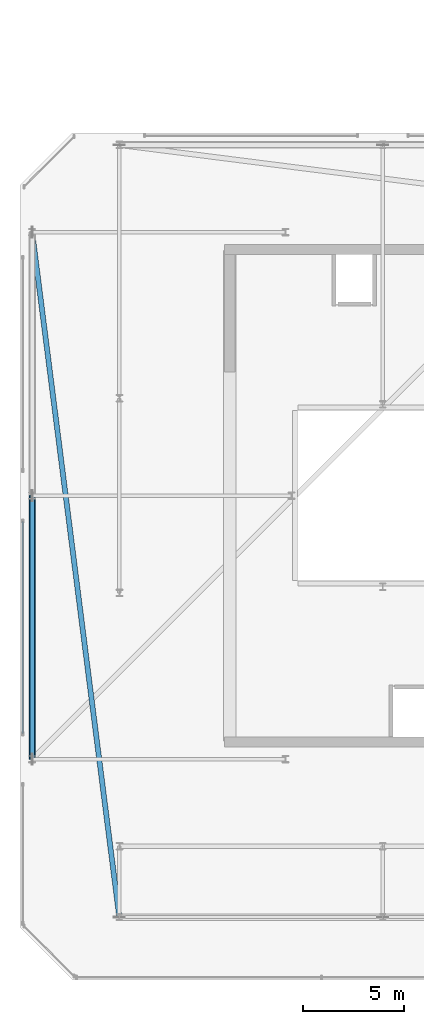
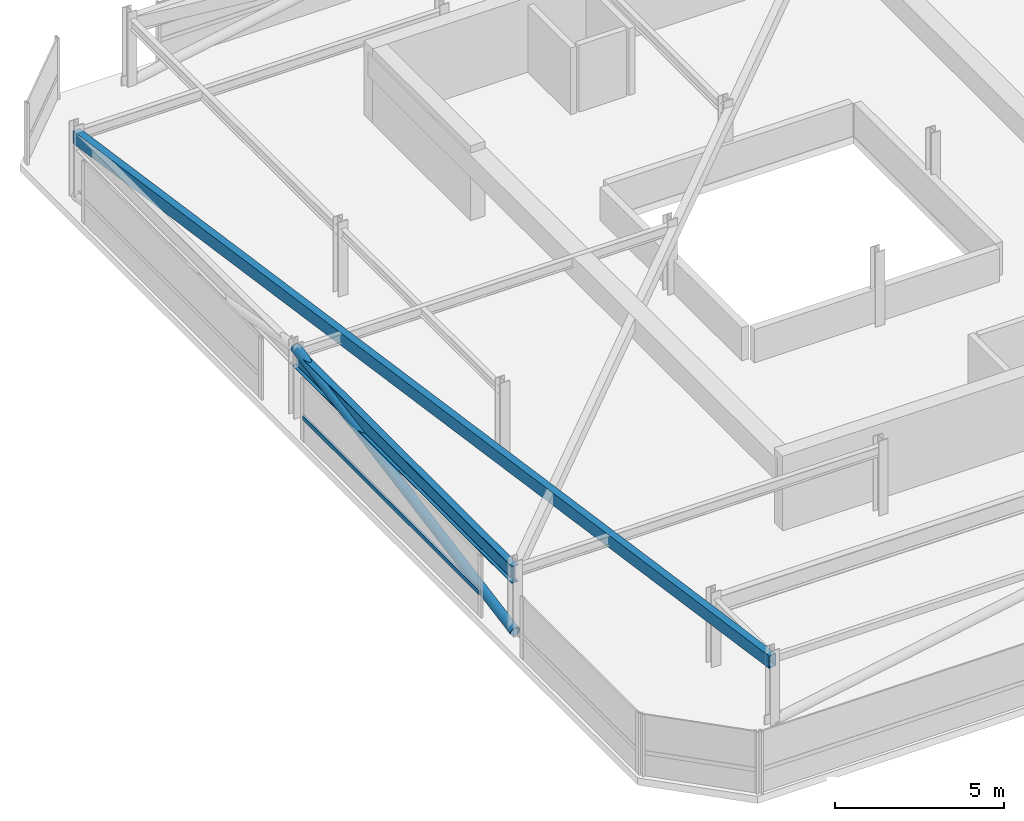
# One storey, part 11 of 42: 2 beams, 2 members, 1 element without a shape of its own.
"""IFC4 building model written with IfcOpenShell, lengths in metres."""

from ifc_helpers import new_model, si_unit, direction, frame, origin, origin_2d, place, context, subcontext, project, spatial, hollow_rectangle, hollow_circle, i_section, extrude, material, material_profile, profile_set, type_object, element, aggregate, save


model = new_model("IFC4")

# Units and contexts
model_context = context("Model", 3, precision=1e-05, world=origin(), true_north=direction((0.0, 1.0)))
body_context = subcontext(model_context, "Body", "Model", "MODEL_VIEW")
ifc_project = project(units=[si_unit("LENGTHUNIT", "METRE"), si_unit("AREAUNIT", "SQUARE_METRE"), si_unit("VOLUMEUNIT", "CUBIC_METRE"), si_unit("PLANEANGLEUNIT", "RADIAN"), si_unit("MASSUNIT", "GRAM", prefix="KILO")], contexts=[model_context])

# Site, building, storey
site_placement = place(None, origin())
site = spatial("IfcSite", under=ifc_project, at=site_placement, CompositionType="ELEMENT")
building_placement = place(site_placement, origin())
building = spatial("IfcBuilding", under=site, at=building_placement, Name="Thornwick Lancets Civic Towers", CompositionType="ELEMENT")
storey_placement = place(building_placement, frame((0.0, 0.0, 284.10009765625)))
storey = spatial("IfcBuildingStorey", under=building, at=storey_placement, Name="C02", CompositionType="ELEMENT", Elevation=284.10009765625)

# Beams
ifc_material_1 = material(Name="Steel S355JR", Category="steel")
ifc_material_profile_1 = material_profile(ifc_material_1, i_section(OverallWidth=0.230224609375, OverallDepth=0.6171875, WebThickness=0.01318359375, FlangeThickness=0.022216796875, FilletRadius=0.0126953125, at=origin_2d()), Name="UKB 610x229x140")
ifc_profile_set_1 = profile_set([ifc_material_profile_1], Name="Steel S355JR")
beam_type_1 = type_object("IfcBeamType", Name="BM_GIRD_610_140", PredefinedType="BEAM", material=ifc_profile_set_1)
beam_1_placement = place(storey_placement, frame((8.199951171875, 14.0, 2.13134765625), z_axis=(0.0, 1.0, 0.0), x_axis=(-1.0, 0.0, 0.0)))
element("IfcBeam", 1, at=beam_1_placement, inside=storey, type_object=beam_type_1, Name="BM-SPINE-C02-A-9-10", PredefinedType="BEAM", context=body_context, shape_type="SweptSolid", body=[
    extrude(i_section(OverallWidth=0.230224609375, OverallDepth=0.6171875, WebThickness=0.01318359375, FlangeThickness=0.022216796875, FilletRadius=0.0126953125, at=origin_2d()), origin(), (0.0, 0.0, 1.0), 13.0),
])
ifc_material_profile_2 = material_profile(ifc_material_1, hollow_rectangle(XDim=0.25, YDim=0.449951171875, WallThickness=0.01611328125, at=origin_2d()), Name="RHS 450x250x16")
ifc_profile_set_2 = profile_set([ifc_material_profile_2], Name="Steel S355JR")
beam_type_2 = type_object("IfcBeamType", Name="BM_RING_RHS450", PredefinedType="BEAM", material=ifc_profile_set_2)
beam_2_placement = place(storey_placement, frame((8.199951171875, 40.0, 2.21484375), z_axis=(0.126202998662, -0.992004437051, 0.0), x_axis=(0.992004437051, 0.126202998662, 0.0)))
element("IfcBeam", 2, at=beam_2_placement, inside=storey, type_object=beam_type_2, Name="BM-CHAMF-C02-A-C3", PredefinedType="BEAM", context=body_context, shape_type="SweptSolid", body=[
    extrude(hollow_rectangle(XDim=0.25, YDim=0.449951171875, WallThickness=0.01611328125, at=origin_2d()), origin(), (0.0, 0.0, 1.0), 34.072509765625),
])

# Curtain wall, member
ifc_material_2 = material(Name="Crown ring acoustic-louvre and glazing screen wall", Category="glass")
curtain_wall_type = type_object("IfcCurtainWallType", Name="CW_SYS_07", PredefinedType="NOTDEFINED", material=ifc_material_2)
curtain_wall_placement = place(storey_placement, origin())
curtain_wall = element("IfcCurtainWall", 3, at=curtain_wall_placement, inside=storey, type_object=curtain_wall_type, Name="C02 Curtain Wall CW-C02-A-E6-S2", PredefinedType="NOTDEFINED")
ifc_material_3 = material(Name="Thermally broken bronze aluminium S355", Category="steel")
ifc_material_profile_3 = material_profile(ifc_material_3, hollow_rectangle(XDim=0.074951171875, YDim=0.14990234375, WallThickness=0.0048828125, at=origin_2d()), Name="RHS 150x75x5")
ifc_profile_set_3 = profile_set([ifc_material_profile_3], Name="Thermally broken bronze aluminium S355")
member_type_1 = type_object("IfcMemberType", Name="CW_TRN_150", PredefinedType="USERDEFINED", material=ifc_profile_set_3)
member_1_placement = place(storey_placement, frame((7.7353515625, 25.72998046875, 0.849853515625), z_axis=(0.0, -1.0, 0.0), x_axis=(1.0, 0.0, 0.0)))
member_1 = element("IfcMember", 4, at=member_1_placement, type_object=member_type_1, Name="CW-C02-A-E6-S2 Transom 0", ObjectType="TRANSOM", PredefinedType="USERDEFINED", context=body_context, shape_type="SweptSolid", body=[
    extrude(hollow_rectangle(XDim=0.074951171875, YDim=0.14990234375, WallThickness=0.0048828125, at=origin_2d()), origin(), (0.0, 0.0, 1.0), 10.4599609375),
])
aggregate(curtain_wall, [member_1])

# Member
ifc_material_profile_4 = material_profile(ifc_material_1, hollow_circle(Radius=0.161865234375, WallThickness=0.01611328125, at=origin_2d()), Name="CHS 323.9x16")
ifc_profile_set_4 = profile_set([ifc_material_profile_4], Name="Steel S355JR")
member_type_2 = type_object("IfcMemberType", Name="MEM_CROWN_CHS324", PredefinedType="BRACE", material=ifc_profile_set_4)
member_2_placement = place(storey_placement, frame((8.199951171875, 14.0, 0.0498046875), z_axis=(0.0, 0.983515136313, 0.180825818519), x_axis=(-1.0, 0.0, 0.0)))
element("IfcMember", 5, at=member_2_placement, inside=storey, type_object=member_type_2, Name="C02 Crown Ring Lancet Rib A-S3-L", PredefinedType="BRACE", context=body_context, shape_type="SweptSolid", body=[
    extrude(hollow_circle(Radius=0.161865234375, WallThickness=0.01611328125, at=origin_2d()), origin(), (0.0, 0.0, 1.0), 13.2177734375),
])

save(model, "model.ifc")
